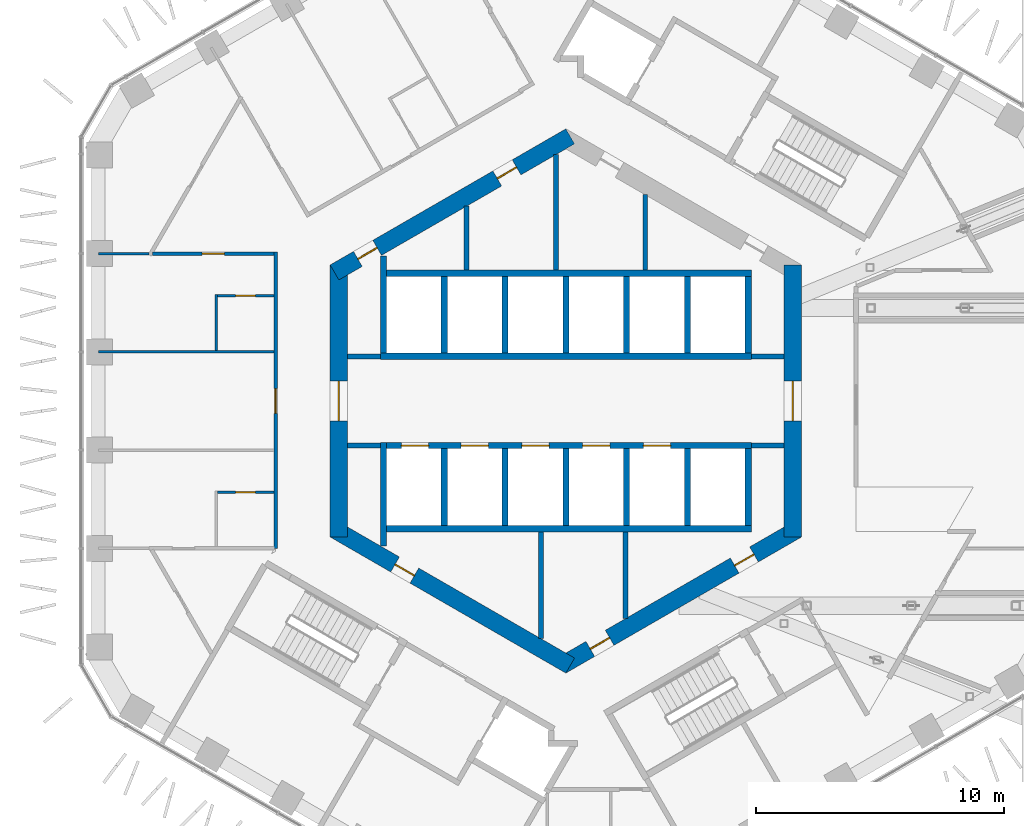
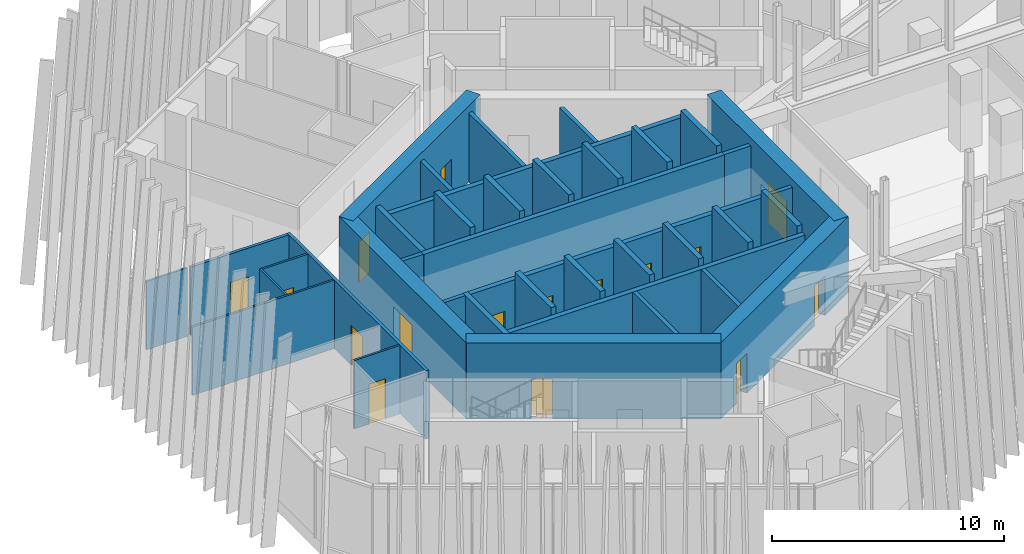
# One storey, part 20 of 28: 39 walls, 16 doors, 16 openings.
"""IFC4 building model written with IfcOpenShell, lengths in metres."""

from ifc_helpers import new_model, si_unit, direction, frame, frame_2d, origin, place, context, subcontext, project, spatial, rectangle, extrude, material, layer, layer_set, type_object, element, fill, save


model = new_model("IFC4")

# Units and contexts
model_context = context("Model", 3, precision=1e-05, world=origin(), true_north=direction((0.0, 1.0)))
body_context = subcontext(model_context, "Body", "Model", "MODEL_VIEW")
ifc_project = project(units=[si_unit("LENGTHUNIT", "METRE"), si_unit("AREAUNIT", "SQUARE_METRE"), si_unit("VOLUMEUNIT", "CUBIC_METRE"), si_unit("PLANEANGLEUNIT", "RADIAN"), si_unit("MASSUNIT", "GRAM", prefix="KILO")], contexts=[model_context])

# Site, building, storey
site_placement = place(None, origin())
site = spatial("IfcSite", under=ifc_project, at=site_placement, CompositionType="ELEMENT")
building_placement = place(site_placement, origin())
building = spatial("IfcBuilding", under=site, at=building_placement, Name="Ayvan Gate Tower", CompositionType="ELEMENT")
storey_placement = place(building_placement, frame((0.0, 0.0, 120.5)))
storey = spatial("IfcBuildingStorey", under=building, at=storey_placement, Name="L32", CompositionType="ELEMENT", Elevation=120.5)

# Wall, opening, door
ifc_material_1 = material(Name="Concrete C70/85", Category="concrete")
ifc_layer_1 = layer(ifc_material_1, 0.699951171875)
ifc_layer_set_1 = layer_set([ifc_layer_1], Name="Concrete C70/85")
wall_type_1 = type_object("IfcWallType", Name="Core wall 700 C70/85", PredefinedType="SHEAR", material=ifc_layer_set_1)
wall_1_placement = place(storey_placement, frame((9.14990234375, -5.48486328125, 0.0), z_axis=(0.0, 0.0, 1.0), x_axis=(0.0, 1.0, 0.0)))
wall_1 = element("IfcWall", 1, at=wall_1_placement, inside=storey, type_object=wall_type_1, Name="CORE-L32-0", PredefinedType="SHEAR", context=body_context, shape_type="SweptSolid", body=[
    extrude(rectangle(XDim=10.9697265625, YDim=0.699951171875, at=frame_2d((5.48486328125, 0.0))), origin(), (0.0, 0.0, 1.0), 4.0),
])
opening_1_placement = place(wall_1_placement, frame((4.684814453125, 0.0, 0.0)))
opening_1 = element("IfcOpeningElement", 2, at=opening_1_placement, cuts=wall_1, Name="Opening L32-D54", PredefinedType="OPENING", context=body_context, shape_type="SweptSolid", body=[
    extrude(rectangle(XDim=1.60009765625, YDim=2.10009765625, at=frame_2d((0.800048828125, 1.050048828125))), frame((0.0, 0.35986328125, 0.0), z_axis=(0.0, -1.0, 0.0), x_axis=(1.0, 0.0, 0.0)), (0.0, 0.0, 1.0), 0.719970703125),
])
ifc_material_2 = material(Name="Timber door leaf", Category="wood")
door_type_1 = type_object("IfcDoorType", Name="DT-1600", OperationType="NOTDEFINED", PredefinedType="DOOR", material=ifc_material_2)
door_1_placement = place(opening_1_placement, origin())
door_1 = element("IfcDoor", 3, at=door_1_placement, inside=storey, type_object=door_type_1, Name="CD-L32-54", OperationType="SINGLE_SWING_RIGHT", OverallHeight=2.10009765625, OverallWidth=1.60009765625, PredefinedType="DOOR", context=body_context, shape_type="SweptSolid", body=[
    extrude(rectangle(XDim=1.60009765625, YDim=2.10009765625, at=frame_2d((0.800048828125, 1.050048828125))), frame((0.0, 0.02490234375, 0.0), z_axis=(0.0, -1.0, 0.0), x_axis=(1.0, 0.0, 0.0)), (0.0, 0.0, 1.0), 0.050048828125),
])
fill(opening_1, door_1)

# Wall, openings, doors
wall_2_placement = place(storey_placement, frame((0.175048828125, 10.66650390625, 0.0), z_axis=(0.0, 0.0, 1.0), x_axis=(-0.866023993627, -0.500002442456, 0.0)))
wall_2 = element("IfcWall", 4, at=wall_2_placement, inside=storey, type_object=wall_type_1, Name="CORE-L32-2", PredefinedType="SHEAR", context=body_context, shape_type="SweptSolid", body=[
    extrude(rectangle(XDim=10.9697265625, YDim=0.699951171875, at=frame_2d((5.48486328125, 0.0))), origin(), (0.0, 0.0, 1.0), 4.0),
])
opening_2_placement = place(wall_2_placement, frame((8.984619140625, 0.0, 0.0)))
opening_2 = element("IfcOpeningElement", 5, at=opening_2_placement, cuts=wall_2, Name="Opening L32-D47", PredefinedType="OPENING", context=body_context, shape_type="SweptSolid", body=[
    extrude(rectangle(XDim=0.89990234375, YDim=2.10009765625, at=frame_2d((0.449951171875, 1.050048828125))), frame((0.0, 0.35986328125, 0.0), z_axis=(0.0, -1.0, 0.0), x_axis=(1.0, 0.0, 0.0)), (0.0, 0.0, 1.0), 0.719970703125),
])
opening_3_placement = place(wall_2_placement, frame((2.4951171875, 0.0, 0.0)))
opening_3 = element("IfcOpeningElement", 6, at=opening_3_placement, cuts=wall_2, Name="Opening L32-D48", PredefinedType="OPENING", context=body_context, shape_type="SweptSolid", body=[
    extrude(rectangle(XDim=0.89990234375, YDim=2.10009765625, at=frame_2d((0.449951171875, 1.050048828125))), frame((0.0, 0.35986328125, 0.0), z_axis=(0.0, -1.0, 0.0), x_axis=(1.0, 0.0, 0.0)), (0.0, 0.0, 1.0), 0.719970703125),
])
door_type_2 = type_object("IfcDoorType", Name="DT-900", OperationType="NOTDEFINED", PredefinedType="DOOR", material=ifc_material_2)
door_2_placement = place(opening_2_placement, origin())
door_2 = element("IfcDoor", 7, at=door_2_placement, inside=storey, type_object=door_type_2, Name="CD-L32-47", OperationType="SINGLE_SWING_LEFT", OverallHeight=2.10009765625, OverallWidth=0.89990234375, PredefinedType="DOOR", context=body_context, shape_type="SweptSolid", body=[
    extrude(rectangle(XDim=0.89990234375, YDim=2.10009765625, at=frame_2d((0.449951171875, 1.050048828125))), frame((0.0, 0.02490234375, 0.0), z_axis=(0.0, -1.0, 0.0), x_axis=(1.0, 0.0, 0.0)), (0.0, 0.0, 1.0), 0.050048828125),
])
fill(opening_2, door_2)
door_3_placement = place(opening_3_placement, origin())
door_3 = element("IfcDoor", 8, at=door_3_placement, inside=storey, type_object=door_type_2, Name="CD-L32-48", OperationType="SINGLE_SWING_RIGHT", OverallHeight=2.10009765625, OverallWidth=0.89990234375, PredefinedType="DOOR", context=body_context, shape_type="SweptSolid", body=[
    extrude(rectangle(XDim=0.89990234375, YDim=2.10009765625, at=frame_2d((0.449951171875, 1.050048828125))), frame((0.0, 0.02490234375, 0.0), z_axis=(0.0, -1.0, 0.0), x_axis=(1.0, 0.0, 0.0)), (0.0, 0.0, 1.0), 0.050048828125),
])
fill(opening_3, door_3)

# Wall, opening, door
wall_3_placement = place(storey_placement, frame((-9.14990234375, 5.48486328125, 0.0), z_axis=(0.0, 0.0, 1.0), x_axis=(0.0, -1.0, 0.0)))
wall_3 = element("IfcWall", 9, at=wall_3_placement, inside=storey, type_object=wall_type_1, Name="CORE-L32-3", PredefinedType="SHEAR", context=body_context, shape_type="SweptSolid", body=[
    extrude(rectangle(XDim=10.9697265625, YDim=0.699951171875, at=frame_2d((5.48486328125, 0.0))), origin(), (0.0, 0.0, 1.0), 4.0),
])
opening_4_placement = place(wall_3_placement, frame((4.684814453125, 0.0, 0.0)))
opening_4 = element("IfcOpeningElement", 10, at=opening_4_placement, cuts=wall_3, Name="Opening L32-D55", PredefinedType="OPENING", context=body_context, shape_type="SweptSolid", body=[
    extrude(rectangle(XDim=1.60009765625, YDim=2.10009765625, at=frame_2d((0.800048828125, 1.050048828125))), frame((0.0, 0.35986328125, 0.0), z_axis=(0.0, -1.0, 0.0), x_axis=(1.0, 0.0, 0.0)), (0.0, 0.0, 1.0), 0.719970703125),
])
door_4_placement = place(opening_4_placement, origin())
door_4 = element("IfcDoor", 11, at=door_4_placement, inside=storey, type_object=door_type_1, Name="CD-L32-55", OperationType="SINGLE_SWING_LEFT", OverallHeight=2.10009765625, OverallWidth=1.60009765625, PredefinedType="DOOR", context=body_context, shape_type="SweptSolid", body=[
    extrude(rectangle(XDim=1.60009765625, YDim=2.10009765625, at=frame_2d((0.800048828125, 1.050048828125))), frame((0.0, 0.02490234375, 0.0), z_axis=(0.0, -1.0, 0.0), x_axis=(1.0, 0.0, 0.0)), (0.0, 0.0, 1.0), 0.050048828125),
])
fill(opening_4, door_4)

wall_4_placement = place(storey_placement, frame((-9.324951171875, -5.181640625, 0.0), z_axis=(0.0, 0.0, 1.0), x_axis=(0.866023993627, -0.500002442456, 0.0)))
wall_4 = element("IfcWall", 12, at=wall_4_placement, inside=storey, type_object=wall_type_1, Name="CORE-L32-4", PredefinedType="SHEAR", context=body_context, shape_type="SweptSolid", body=[
    extrude(rectangle(XDim=10.9697265625, YDim=0.699951171875, at=frame_2d((5.48486328125, 0.0))), origin(), (0.0, 0.0, 1.0), 4.0),
])
opening_5_placement = place(wall_4_placement, frame((2.816650390625, 0.0, 0.0)))
opening_5 = element("IfcOpeningElement", 13, at=opening_5_placement, cuts=wall_4, Name="Opening L32-D51", PredefinedType="OPENING", context=body_context, shape_type="SweptSolid", body=[
    extrude(rectangle(XDim=0.89990234375, YDim=2.10009765625, at=frame_2d((0.449951171875, 1.050048828125))), frame((0.0, 0.35986328125, 0.0), z_axis=(0.0, -1.0, 0.0), x_axis=(1.0, 0.0, 0.0)), (0.0, 0.0, 1.0), 0.719970703125),
])
door_5_placement = place(opening_5_placement, origin())
door_5 = element("IfcDoor", 14, at=door_5_placement, inside=storey, type_object=door_type_2, Name="CD-L32-51", OperationType="SINGLE_SWING_LEFT", OverallHeight=2.10009765625, OverallWidth=0.89990234375, PredefinedType="DOOR", context=body_context, shape_type="SweptSolid", body=[
    extrude(rectangle(XDim=0.89990234375, YDim=2.10009765625, at=frame_2d((0.449951171875, 1.050048828125))), frame((0.0, 0.02490234375, 0.0), z_axis=(0.0, -1.0, 0.0), x_axis=(1.0, 0.0, 0.0)), (0.0, 0.0, 1.0), 0.050048828125),
])
fill(opening_5, door_5)

# Wall, openings, doors
wall_5_placement = place(storey_placement, frame((-0.175048828125, -10.66650390625, 0.0), z_axis=(0.0, 0.0, 1.0), x_axis=(0.866023993627, 0.500002442456, 0.0)))
wall_5 = element("IfcWall", 15, at=wall_5_placement, inside=storey, type_object=wall_type_1, Name="CORE-L32-5", PredefinedType="SHEAR", context=body_context, shape_type="SweptSolid", body=[
    extrude(rectangle(XDim=10.9697265625, YDim=0.699951171875, at=frame_2d((5.48486328125, 0.0))), origin(), (0.0, 0.0, 1.0), 4.0),
])
opening_6_placement = place(wall_5_placement, frame((1.34033203125, 0.0, 0.0)))
opening_6 = element("IfcOpeningElement", 16, at=opening_6_placement, cuts=wall_5, Name="Opening L32-D52", PredefinedType="OPENING", context=body_context, shape_type="SweptSolid", body=[
    extrude(rectangle(XDim=0.89990234375, YDim=2.10009765625, at=frame_2d((0.449951171875, 1.050048828125))), frame((0.0, 0.35986328125, 0.0), z_axis=(0.0, -1.0, 0.0), x_axis=(1.0, 0.0, 0.0)), (0.0, 0.0, 1.0), 0.719970703125),
])
opening_7_placement = place(wall_5_placement, frame((8.060791015625, 0.0, 0.0)))
opening_7 = element("IfcOpeningElement", 17, at=opening_7_placement, cuts=wall_5, Name="Opening L32-D53", PredefinedType="OPENING", context=body_context, shape_type="SweptSolid", body=[
    extrude(rectangle(XDim=0.89990234375, YDim=2.10009765625, at=frame_2d((0.449951171875, 1.050048828125))), frame((0.0, 0.35986328125, 0.0), z_axis=(0.0, -1.0, 0.0), x_axis=(1.0, 0.0, 0.0)), (0.0, 0.0, 1.0), 0.719970703125),
])
door_6_placement = place(opening_6_placement, origin())
door_6 = element("IfcDoor", 18, at=door_6_placement, inside=storey, type_object=door_type_2, Name="CD-L32-52", OperationType="SINGLE_SWING_RIGHT", OverallHeight=2.10009765625, OverallWidth=0.89990234375, PredefinedType="DOOR", context=body_context, shape_type="SweptSolid", body=[
    extrude(rectangle(XDim=0.89990234375, YDim=2.10009765625, at=frame_2d((0.449951171875, 1.050048828125))), frame((0.0, 0.02490234375, 0.0), z_axis=(0.0, -1.0, 0.0), x_axis=(1.0, 0.0, 0.0)), (0.0, 0.0, 1.0), 0.050048828125),
])
fill(opening_6, door_6)
door_7_placement = place(opening_7_placement, origin())
door_7 = element("IfcDoor", 19, at=door_7_placement, inside=storey, type_object=door_type_2, Name="CD-L32-53", OperationType="SINGLE_SWING_LEFT", OverallHeight=2.10009765625, OverallWidth=0.89990234375, PredefinedType="DOOR", context=body_context, shape_type="SweptSolid", body=[
    extrude(rectangle(XDim=0.89990234375, YDim=2.10009765625, at=frame_2d((0.449951171875, 1.050048828125))), frame((0.0, 0.02490234375, 0.0), z_axis=(0.0, -1.0, 0.0), x_axis=(1.0, 0.0, 0.0)), (0.0, 0.0, 1.0), 0.050048828125),
])
fill(opening_7, door_7)

# Wall, opening, door
ifc_material_3 = material(Name="Plasterboard on steel stud", Category="steel")
ifc_layer_2 = layer(ifc_material_3, 0.14990234375)
ifc_layer_set_2 = layer_set([ifc_layer_2], Name="Plasterboard on steel stud")
wall_type_2 = type_object("IfcWallType", Name="WT-CORR-150", PredefinedType="PARTITIONING", material=ifc_layer_set_2)
wall_6_placement = place(storey_placement, frame((-11.699951171875, 6.011962890625, 0.0), z_axis=(0.0, 0.0, 1.0), x_axis=(0.0, -1.0, 0.0)))
wall_6 = element("IfcWall", 20, at=wall_6_placement, inside=storey, type_object=wall_type_2, Name="IW-L32-015", PredefinedType="PARTITIONING", context=body_context, shape_type="SweptSolid", body=[
    extrude(rectangle(XDim=11.948974609375, YDim=0.14990234375, at=frame_2d((5.974609375, 0.0))), origin(), (0.0, 0.0, 1.0), 3.60009765625),
])
opening_8_placement = place(wall_6_placement, frame((5.511962890625, 0.0, 0.0)))
opening_8 = element("IfcOpeningElement", 21, at=opening_8_placement, cuts=wall_6, Name="Opening L32-D22", PredefinedType="OPENING", context=body_context, shape_type="SweptSolid", body=[
    extrude(rectangle(XDim=1.0, YDim=2.10009765625, at=frame_2d((0.5, 1.050048828125))), frame((0.0, 0.0849609375, 0.0), z_axis=(0.0, -1.0, 0.0), x_axis=(1.0, 0.0, 0.0)), (0.0, 0.0, 1.0), 0.169921875),
])
door_type_3 = type_object("IfcDoorType", Name="DT-1000", OperationType="NOTDEFINED", PredefinedType="DOOR", material=ifc_material_2)
door_8_placement = place(opening_8_placement, origin())
door_8 = element("IfcDoor", 22, at=door_8_placement, inside=storey, type_object=door_type_3, Name="ID-L32-022", OperationType="SINGLE_SWING_RIGHT", OverallHeight=2.10009765625, OverallWidth=1.0, PredefinedType="DOOR", context=body_context, shape_type="SweptSolid", body=[
    extrude(rectangle(XDim=1.0, YDim=2.10009765625, at=frame_2d((0.5, 1.050048828125))), frame((0.0, 0.02490234375, 0.0), z_axis=(0.0, -1.0, 0.0), x_axis=(1.0, 0.0, 0.0)), (0.0, 0.0, 1.0), 0.050048828125),
])
fill(opening_8, door_8)

wall_7_placement = place(storey_placement, frame((-11.77490234375, 5.93701171875, 0.0), z_axis=(0.0, 0.0, 1.0), x_axis=(-1.0, 0.0, 0.0)))
wall_7 = element("IfcWall", 23, at=wall_7_placement, inside=storey, type_object=wall_type_2, Name="IW-L32-017", PredefinedType="PARTITIONING", context=body_context, shape_type="SweptSolid", body=[
    extrude(rectangle(XDim=4.88232421875, YDim=0.14990234375, at=frame_2d((2.441162109375, 0.0))), origin(), (0.0, 0.0, 1.0), 3.60009765625),
])
opening_9_placement = place(wall_7_placement, frame((1.9912109375, 0.0, 0.0)))
opening_9 = element("IfcOpeningElement", 24, at=opening_9_placement, cuts=wall_7, Name="Opening L32-D20", PredefinedType="OPENING", context=body_context, shape_type="SweptSolid", body=[
    extrude(rectangle(XDim=0.89990234375, YDim=2.10009765625, at=frame_2d((0.449951171875, 1.050048828125))), frame((0.0, 0.0849609375, 0.0), z_axis=(0.0, -1.0, 0.0), x_axis=(1.0, 0.0, 0.0)), (0.0, 0.0, 1.0), 0.169921875),
])
door_9_placement = place(opening_9_placement, origin())
door_9 = element("IfcDoor", 25, at=door_9_placement, inside=storey, type_object=door_type_2, Name="ID-L32-020", OperationType="SINGLE_SWING_RIGHT", OverallHeight=2.10009765625, OverallWidth=0.89990234375, PredefinedType="DOOR", context=body_context, shape_type="SweptSolid", body=[
    extrude(rectangle(XDim=0.89990234375, YDim=2.10009765625, at=frame_2d((0.449951171875, 1.050048828125))), frame((0.0, 0.02490234375, 0.0), z_axis=(0.0, -1.0, 0.0), x_axis=(1.0, 0.0, 0.0)), (0.0, 0.0, 1.0), 0.050048828125),
])
fill(opening_9, door_9)

# Walls
ifc_layer_3 = layer(ifc_material_3, 0.10009765625)
ifc_layer_set_3 = layer_set([ifc_layer_3], Name="Plasterboard on steel stud")
wall_type_3 = type_object("IfcWallType", Name="WT-PART-100", PredefinedType="PARTITIONING", material=ifc_layer_set_3)
wall_8_placement = place(storey_placement, frame((-16.80712890625, 5.93701171875, 0.0), z_axis=(0.0, 0.0, 1.0), x_axis=(-1.0, 0.0, 0.0)))
element("IfcWall", 26, at=wall_8_placement, inside=storey, type_object=wall_type_3, Name="IW-L32-002", PredefinedType="PARTITIONING", context=body_context, shape_type="SweptSolid", body=[
    extrude(rectangle(XDim=2.025634765625, YDim=0.10009765625, at=frame_2d((1.0126953125, 0.0))), origin(), (0.0, 0.0, 1.0), 3.60009765625),
])
wall_9_placement = place(storey_placement, frame((-18.832763671875, 1.97900390625, 0.0), z_axis=(0.0, 0.0, 1.0), x_axis=(1.0, 0.0, 0.0)))
element("IfcWall", 27, at=wall_9_placement, inside=storey, type_object=wall_type_3, Name="IW-L32-008", PredefinedType="PARTITIONING", context=body_context, shape_type="SweptSolid", body=[
    extrude(rectangle(XDim=7.057861328125, YDim=0.10009765625, at=frame_2d((3.52880859375, 0.0))), origin(), (0.0, 0.0, 1.0), 3.60009765625),
])
wall_10_placement = place(storey_placement, frame((-14.10009765625, 4.286865234375, 0.0), z_axis=(0.0, 0.0, 1.0), x_axis=(0.0, -1.0, 0.0)))
element("IfcWall", 28, at=wall_10_placement, inside=storey, type_object=wall_type_3, Name="IW-L32-009", PredefinedType="PARTITIONING", context=body_context, shape_type="SweptSolid", body=[
    extrude(rectangle(XDim=2.2578125, YDim=0.10009765625, at=frame_2d((1.12890625, 0.0))), origin(), (0.0, 0.0, 1.0), 3.60009765625),
])

# Wall, opening, door
wall_11_placement = place(storey_placement, frame((-11.77490234375, -3.678955078125, 0.0), z_axis=(0.0, 0.0, 1.0), x_axis=(-1.0, 0.0, 0.0)))
wall_11 = element("IfcWall", 29, at=wall_11_placement, inside=storey, type_object=wall_type_3, Name="IW-L32-013", PredefinedType="PARTITIONING", context=body_context, shape_type="SweptSolid", body=[
    extrude(rectangle(XDim=2.275146484375, YDim=0.10009765625, at=frame_2d((1.1376953125, 0.0))), origin(), (0.0, 0.0, 1.0), 3.60009765625),
])
opening_10_placement = place(wall_11_placement, frame((0.737548828125, 0.0, 0.0)))
opening_10 = element("IfcOpeningElement", 30, at=opening_10_placement, cuts=wall_11, Name="Opening L32-D24", PredefinedType="OPENING", context=body_context, shape_type="SweptSolid", body=[
    extrude(rectangle(XDim=0.800048828125, YDim=2.10009765625, at=frame_2d((0.39990234375, 1.050048828125))), frame((0.0, 0.06005859375, 0.0), z_axis=(0.0, -1.0, 0.0), x_axis=(1.0, 0.0, 0.0)), (0.0, 0.0, 1.0), 0.1201171875),
])
door_type_4 = type_object("IfcDoorType", Name="DT-800", OperationType="NOTDEFINED", PredefinedType="DOOR", material=ifc_material_2)
door_10_placement = place(opening_10_placement, origin())
door_10 = element("IfcDoor", 31, at=door_10_placement, inside=storey, type_object=door_type_4, Name="ID-L32-024", OperationType="SINGLE_SWING_RIGHT", OverallHeight=2.10009765625, OverallWidth=0.800048828125, PredefinedType="DOOR", context=body_context, shape_type="SweptSolid", body=[
    extrude(rectangle(XDim=0.800048828125, YDim=2.10009765625, at=frame_2d((0.39990234375, 1.050048828125))), frame((0.0, 0.02490234375, 0.0), z_axis=(0.0, -1.0, 0.0), x_axis=(1.0, 0.0, 0.0)), (0.0, 0.0, 1.0), 0.050048828125),
])
fill(opening_10, door_10)

wall_12_placement = place(storey_placement, frame((-11.77490234375, 4.23681640625, 0.0), z_axis=(0.0, 0.0, 1.0), x_axis=(-1.0, 0.0, 0.0)))
wall_12 = element("IfcWall", 32, at=wall_12_placement, inside=storey, type_object=wall_type_3, Name="IW-L32-016", PredefinedType="PARTITIONING", context=body_context, shape_type="SweptSolid", body=[
    extrude(rectangle(XDim=2.275146484375, YDim=0.10009765625, at=frame_2d((1.1376953125, 0.0))), origin(), (0.0, 0.0, 1.0), 3.60009765625),
])
opening_11_placement = place(wall_12_placement, frame((0.737548828125, 0.0, 0.0)))
opening_11 = element("IfcOpeningElement", 33, at=opening_11_placement, cuts=wall_12, Name="Opening L32-D21", PredefinedType="OPENING", context=body_context, shape_type="SweptSolid", body=[
    extrude(rectangle(XDim=0.800048828125, YDim=2.10009765625, at=frame_2d((0.39990234375, 1.050048828125))), frame((0.0, 0.06005859375, 0.0), z_axis=(0.0, -1.0, 0.0), x_axis=(1.0, 0.0, 0.0)), (0.0, 0.0, 1.0), 0.1201171875),
])
door_11_placement = place(opening_11_placement, origin())
door_11 = element("IfcDoor", 34, at=door_11_placement, inside=storey, type_object=door_type_4, Name="ID-L32-021", OperationType="SINGLE_SWING_LEFT", OverallHeight=2.10009765625, OverallWidth=0.800048828125, PredefinedType="DOOR", context=body_context, shape_type="SweptSolid", body=[
    extrude(rectangle(XDim=0.800048828125, YDim=2.10009765625, at=frame_2d((0.39990234375, 1.050048828125))), frame((0.0, 0.02490234375, 0.0), z_axis=(0.0, -1.0, 0.0), x_axis=(1.0, 0.0, 0.0)), (0.0, 0.0, 1.0), 0.050048828125),
])
fill(opening_11, door_11)

# Walls
ifc_layer_4 = layer(ifc_material_3, 0.199951171875)
ifc_layer_set_4 = layer_set([ifc_layer_4], Name="Plasterboard on steel stud")
wall_type_4 = type_object("IfcWallType", Name="WT-RATED-200", PredefinedType="PARTITIONING", material=ifc_layer_set_4)
for number, where, z_axis, x_axis, name in (
    (35, (-8.800048828125, 1.800048828125, 0.0), (0.0, 0.0, 1.0), (1.0, 0.0, 0.0), "IW-L32-020"),
    (36, (-7.474853515625, -1.800048828125, 0.0), (0.0, 0.0, 1.0), (-1.0, 0.0, 0.0), "IW-L32-030"),
):
    element("IfcWall", number, at=place(storey_placement, frame(where, z_axis=z_axis, x_axis=x_axis)), inside=storey, type_object=wall_type_4, Name=name, PredefinedType="PARTITIONING", context=body_context, shape_type="SweptSolid", body=[
        extrude(rectangle(XDim=1.3251953125, YDim=0.199951171875, at=frame_2d((0.66259765625, 0.0))), origin(), (0.0, 0.0, 1.0), 3.60009765625),
    ])
wall_13_placement = place(storey_placement, frame((-4.0, 7.85205078125, 0.0), z_axis=(0.0, 0.0, 1.0), x_axis=(0.0, -1.0, 0.0)))
element("IfcWall", 37, at=wall_13_placement, inside=storey, type_object=wall_type_4, Name="IW-L32-040", PredefinedType="PARTITIONING", context=body_context, shape_type="SweptSolid", body=[
    extrude(rectangle(XDim=2.5771484375, YDim=0.199951171875, at=frame_2d((1.28857421875, 0.0))), origin(), (0.0, 0.0, 1.0), 3.60009765625),
])
wall_14_placement = place(storey_placement, frame((-1.0, -5.27490234375, 0.0), z_axis=(0.0, 0.0, 1.0), x_axis=(0.0, -1.0, 0.0)))
element("IfcWall", 38, at=wall_14_placement, inside=storey, type_object=wall_type_4, Name="IW-L32-055", PredefinedType="PARTITIONING", context=body_context, shape_type="SweptSolid", body=[
    extrude(rectangle(XDim=4.30908203125, YDim=0.199951171875, at=frame_2d((2.154541015625, 0.0))), origin(), (0.0, 0.0, 1.0), 3.60009765625),
])
wall_15_placement = place(storey_placement, frame((-0.39990234375, 9.930419921875, 0.0), z_axis=(0.0, 0.0, 1.0), x_axis=(0.0, -1.0, 0.0)))
element("IfcWall", 39, at=wall_15_placement, inside=storey, type_object=wall_type_4, Name="IW-L32-063", PredefinedType="PARTITIONING", context=body_context, shape_type="SweptSolid", body=[
    extrude(rectangle(XDim=4.655517578125, YDim=0.199951171875, at=frame_2d((2.32763671875, 0.0))), origin(), (0.0, 0.0, 1.0), 3.60009765625),
])
wall_16_placement = place(storey_placement, frame((2.39990234375, -5.27490234375, 0.0), z_axis=(0.0, 0.0, 1.0), x_axis=(0.0, -1.0, 0.0)))
element("IfcWall", 40, at=wall_16_placement, inside=storey, type_object=wall_type_4, Name="IW-L32-077", PredefinedType="PARTITIONING", context=body_context, shape_type="SweptSolid", body=[
    extrude(rectangle(XDim=3.500732421875, YDim=0.199951171875, at=frame_2d((1.75048828125, 0.0))), origin(), (0.0, 0.0, 1.0), 3.60009765625),
])
wall_17_placement = place(storey_placement, frame((3.199951171875, 8.313720703125, 0.0), z_axis=(0.0, 0.0, 1.0), x_axis=(0.0, -1.0, 0.0)))
element("IfcWall", 41, at=wall_17_placement, inside=storey, type_object=wall_type_4, Name="IW-L32-083", PredefinedType="PARTITIONING", context=body_context, shape_type="SweptSolid", body=[
    extrude(rectangle(XDim=3.038818359375, YDim=0.199951171875, at=frame_2d((1.51953125, 0.0))), origin(), (0.0, 0.0, 1.0), 3.60009765625),
])
for number, where, z_axis, x_axis, name in (
    (42, (7.474853515625, 1.800048828125, 0.0), (0.0, 0.0, 1.0), (1.0, 0.0, 0.0), "IW-L32-095"),
    (43, (8.800048828125, -1.800048828125, 0.0), (0.0, 0.0, 1.0), (-1.0, 0.0, 0.0), "IW-L32-101"),
):
    element("IfcWall", number, at=place(storey_placement, frame(where, z_axis=z_axis, x_axis=x_axis)), inside=storey, type_object=wall_type_4, Name=name, PredefinedType="PARTITIONING", context=body_context, shape_type="SweptSolid", body=[
        extrude(rectangle(XDim=1.3251953125, YDim=0.199951171875, at=frame_2d((0.66259765625, 0.0))), origin(), (0.0, 0.0, 1.0), 3.60009765625),
    ])
ifc_material_4 = material(Name="Concrete C50/60", Category="concrete")
ifc_layer_5 = layer(ifc_material_4, 0.25)
ifc_layer_set_5 = layer_set([ifc_layer_5], Name="Concrete C50/60")
wall_type_5 = type_object("IfcWallType", Name="WT-RC-250", PredefinedType="SHEAR", material=ifc_layer_set_5)
wall_18_placement = place(storey_placement, frame((-7.47509765625, 1.800048828125, 0.0), z_axis=(0.0, 0.0, 1.0), x_axis=(1.0, 0.0, 0.0)))
element("IfcWall", 44, at=wall_18_placement, inside=storey, type_object=wall_type_5, Name="IW-L32-026", PredefinedType="SHEAR", context=body_context, shape_type="SweptSolid", body=[
    extrude(rectangle(XDim=14.9501953125, YDim=0.25, at=frame_2d((7.47509765625, 0.0))), origin(), (0.0, 0.0, 1.0), 3.60009765625),
])
wall_19_placement = place(storey_placement, frame((-7.35009765625, -5.845703125, 0.0), z_axis=(0.0, 0.0, 1.0), x_axis=(0.0, 1.0, 0.0)))
element("IfcWall", 45, at=wall_19_placement, inside=storey, type_object=wall_type_5, Name="IW-L32-027", PredefinedType="SHEAR", context=body_context, shape_type="SweptSolid", body=[
    extrude(rectangle(XDim=4.170654296875, YDim=0.25, at=frame_2d((2.08544921875, 0.0))), origin(), (0.0, 0.0, 1.0), 3.60009765625),
])
wall_20_placement = place(storey_placement, frame((-7.35009765625, 1.925048828125, 0.0), z_axis=(0.0, 0.0, 1.0), x_axis=(0.0, 1.0, 0.0)))
element("IfcWall", 46, at=wall_20_placement, inside=storey, type_object=wall_type_5, Name="IW-L32-028", PredefinedType="SHEAR", context=body_context, shape_type="SweptSolid", body=[
    extrude(rectangle(XDim=3.920654296875, YDim=0.25, at=frame_2d((1.96044921875, 0.0))), origin(), (0.0, 0.0, 1.0), 3.60009765625),
])
for number, where, z_axis, x_axis, name in (
    (47, (-7.22509765625, 5.14990234375, 0.0), (0.0, 0.0, 1.0), (1.0, 0.0, 0.0), "IW-L32-029"),
    (48, (-7.22509765625, -5.14990234375, 0.0), (0.0, 0.0, 1.0), (1.0, 0.0, 0.0), "IW-L32-036"),
):
    element("IfcWall", number, at=place(storey_placement, frame(where, z_axis=z_axis, x_axis=x_axis)), inside=storey, type_object=wall_type_5, Name=name, PredefinedType="SHEAR", context=body_context, shape_type="SweptSolid", body=[
        extrude(rectangle(XDim=14.7001953125, YDim=0.25, at=frame_2d((7.35009765625, 0.0))), origin(), (0.0, 0.0, 1.0), 3.60009765625),
    ])
for number, where, z_axis, x_axis, name in (
    (49, (-4.89990234375, -1.925048828125, 0.0), (0.0, 0.0, 1.0), (0.0, -1.0, 0.0), "IW-L32-037"),
    (50, (-4.89990234375, 5.02490234375, 0.0), (0.0, 0.0, 1.0), (0.0, -1.0, 0.0), "IW-L32-038"),
):
    element("IfcWall", number, at=place(storey_placement, frame(where, z_axis=z_axis, x_axis=x_axis)), inside=storey, type_object=wall_type_5, Name=name, PredefinedType="SHEAR", context=body_context, shape_type="SweptSolid", body=[
        extrude(rectangle(XDim=3.099853515625, YDim=0.25, at=frame_2d((1.5498046875, 0.0))), origin(), (0.0, 0.0, 1.0), 4.0),
    ])

# Wall, openings, doors
wall_21_placement = place(storey_placement, frame((-7.22509765625, -1.800048828125, 0.0), z_axis=(0.0, 0.0, 1.0), x_axis=(1.0, 0.0, 0.0)))
wall_21 = element("IfcWall", 51, at=wall_21_placement, inside=storey, type_object=wall_type_5, Name="IW-L32-039", PredefinedType="SHEAR", context=body_context, shape_type="SweptSolid", body=[
    extrude(rectangle(XDim=14.7001953125, YDim=0.25, at=frame_2d((7.35009765625, 0.0))), origin(), (0.0, 0.0, 1.0), 3.60009765625),
])
opening_12_placement = place(wall_21_placement, frame((0.597412109375, 0.0, 0.0)))
opening_12 = element("IfcOpeningElement", 52, at=opening_12_placement, cuts=wall_21, Name="Opening L32-LD-LR1", PredefinedType="OPENING", context=body_context, shape_type="SweptSolid", body=[
    extrude(rectangle(XDim=1.10009765625, YDim=2.10009765625, at=frame_2d((0.550048828125, 1.050048828125))), frame((0.0, 0.135009765625, 0.0), z_axis=(0.0, -1.0, 0.0), x_axis=(1.0, 0.0, 0.0)), (0.0, 0.0, 1.0), 0.27001953125),
])
opening_13_placement = place(wall_21_placement, frame((3.0, 0.0, 0.0)))
opening_13 = element("IfcOpeningElement", 53, at=opening_13_placement, cuts=wall_21, Name="Opening L32-LD-LR2", PredefinedType="OPENING", context=body_context, shape_type="SweptSolid", body=[
    extrude(rectangle(XDim=1.10009765625, YDim=2.10009765625, at=frame_2d((0.550048828125, 1.050048828125))), frame((0.0, 0.135009765625, 0.0), z_axis=(0.0, -1.0, 0.0), x_axis=(1.0, 0.0, 0.0)), (0.0, 0.0, 1.0), 0.27001953125),
])
opening_14_placement = place(wall_21_placement, frame((5.4501953125, 0.0, 0.0)))
opening_14 = element("IfcOpeningElement", 54, at=opening_14_placement, cuts=wall_21, Name="Opening L32-LD-LR3", PredefinedType="OPENING", context=body_context, shape_type="SweptSolid", body=[
    extrude(rectangle(XDim=1.10009765625, YDim=2.10009765625, at=frame_2d((0.550048828125, 1.050048828125))), frame((0.0, 0.135009765625, 0.0), z_axis=(0.0, -1.0, 0.0), x_axis=(1.0, 0.0, 0.0)), (0.0, 0.0, 1.0), 0.27001953125),
])
opening_15_placement = place(wall_21_placement, frame((7.900146484375, 0.0, 0.0)))
opening_15 = element("IfcOpeningElement", 55, at=opening_15_placement, cuts=wall_21, Name="Opening L32-LD-LR4", PredefinedType="OPENING", context=body_context, shape_type="SweptSolid", body=[
    extrude(rectangle(XDim=1.10009765625, YDim=2.10009765625, at=frame_2d((0.550048828125, 1.050048828125))), frame((0.0, 0.135009765625, 0.0), z_axis=(0.0, -1.0, 0.0), x_axis=(1.0, 0.0, 0.0)), (0.0, 0.0, 1.0), 0.27001953125),
])
opening_16_placement = place(wall_21_placement, frame((10.35009765625, 0.0, 0.0)))
opening_16 = element("IfcOpeningElement", 56, at=opening_16_placement, cuts=wall_21, Name="Opening L32-LD-SV", PredefinedType="OPENING", context=body_context, shape_type="SweptSolid", body=[
    extrude(rectangle(XDim=1.10009765625, YDim=2.10009765625, at=frame_2d((0.550048828125, 1.050048828125))), frame((0.0, 0.135009765625, 0.0), z_axis=(0.0, -1.0, 0.0), x_axis=(1.0, 0.0, 0.0)), (0.0, 0.0, 1.0), 0.27001953125),
])
ifc_material_5 = material(Name="Stainless steel landing door", Category="steel")
door_type_5 = type_object("IfcDoorType", Name="DT-LANDING-1100", OperationType="SLIDING_TO_LEFT", PredefinedType="DOOR", material=ifc_material_5)
door_12_placement = place(opening_12_placement, origin())
door_12 = element("IfcDoor", 57, at=door_12_placement, inside=storey, type_object=door_type_5, Name="ID-L32-001", OperationType="SLIDING_TO_LEFT", OverallHeight=2.10009765625, OverallWidth=1.10009765625, PredefinedType="DOOR", context=body_context, shape_type="SweptSolid", body=[
    extrude(rectangle(XDim=1.10009765625, YDim=2.10009765625, at=frame_2d((0.550048828125, 1.050048828125))), frame((0.0, 0.02490234375, 0.0), z_axis=(0.0, -1.0, 0.0), x_axis=(1.0, 0.0, 0.0)), (0.0, 0.0, 1.0), 0.050048828125),
])
fill(opening_12, door_12)
door_13_placement = place(opening_13_placement, origin())
door_13 = element("IfcDoor", 58, at=door_13_placement, inside=storey, type_object=door_type_5, Name="ID-L32-002", OperationType="SLIDING_TO_LEFT", OverallHeight=2.10009765625, OverallWidth=1.10009765625, PredefinedType="DOOR", context=body_context, shape_type="SweptSolid", body=[
    extrude(rectangle(XDim=1.10009765625, YDim=2.10009765625, at=frame_2d((0.550048828125, 1.050048828125))), frame((0.0, 0.02490234375, 0.0), z_axis=(0.0, -1.0, 0.0), x_axis=(1.0, 0.0, 0.0)), (0.0, 0.0, 1.0), 0.050048828125),
])
fill(opening_13, door_13)
door_14_placement = place(opening_14_placement, origin())
door_14 = element("IfcDoor", 59, at=door_14_placement, inside=storey, type_object=door_type_5, Name="ID-L32-003", OperationType="SLIDING_TO_LEFT", OverallHeight=2.10009765625, OverallWidth=1.10009765625, PredefinedType="DOOR", context=body_context, shape_type="SweptSolid", body=[
    extrude(rectangle(XDim=1.10009765625, YDim=2.10009765625, at=frame_2d((0.550048828125, 1.050048828125))), frame((0.0, 0.02490234375, 0.0), z_axis=(0.0, -1.0, 0.0), x_axis=(1.0, 0.0, 0.0)), (0.0, 0.0, 1.0), 0.050048828125),
])
fill(opening_14, door_14)
door_15_placement = place(opening_15_placement, origin())
door_15 = element("IfcDoor", 60, at=door_15_placement, inside=storey, type_object=door_type_5, Name="ID-L32-004", OperationType="SLIDING_TO_LEFT", OverallHeight=2.10009765625, OverallWidth=1.10009765625, PredefinedType="DOOR", context=body_context, shape_type="SweptSolid", body=[
    extrude(rectangle(XDim=1.10009765625, YDim=2.10009765625, at=frame_2d((0.550048828125, 1.050048828125))), frame((0.0, 0.02490234375, 0.0), z_axis=(0.0, -1.0, 0.0), x_axis=(1.0, 0.0, 0.0)), (0.0, 0.0, 1.0), 0.050048828125),
])
fill(opening_15, door_15)
door_16_placement = place(opening_16_placement, origin())
door_16 = element("IfcDoor", 61, at=door_16_placement, inside=storey, type_object=door_type_5, Name="ID-L32-005", OperationType="SLIDING_TO_LEFT", OverallHeight=2.10009765625, OverallWidth=1.10009765625, PredefinedType="DOOR", context=body_context, shape_type="SweptSolid", body=[
    extrude(rectangle(XDim=1.10009765625, YDim=2.10009765625, at=frame_2d((0.550048828125, 1.050048828125))), frame((0.0, 0.02490234375, 0.0), z_axis=(0.0, -1.0, 0.0), x_axis=(1.0, 0.0, 0.0)), (0.0, 0.0, 1.0), 0.050048828125),
])
fill(opening_16, door_16)

# Walls
for number, where, z_axis, x_axis, name in (
    (62, (-2.449951171875, -1.925048828125, 0.0), (0.0, 0.0, 1.0), (0.0, -1.0, 0.0), "IW-L32-049"),
    (63, (-2.449951171875, 5.02490234375, 0.0), (0.0, 0.0, 1.0), (0.0, -1.0, 0.0), "IW-L32-050"),
    (64, (0.0, -1.925048828125, 0.0), (0.0, 0.0, 1.0), (0.0, -1.0, 0.0), "IW-L32-065"),
    (65, (0.0, 5.02490234375, 0.0), (0.0, 0.0, 1.0), (0.0, -1.0, 0.0), "IW-L32-066"),
    (66, (2.449951171875, -1.925048828125, 0.0), (0.0, 0.0, 1.0), (0.0, -1.0, 0.0), "IW-L32-078"),
    (67, (2.449951171875, 5.02490234375, 0.0), (0.0, 0.0, 1.0), (0.0, -1.0, 0.0), "IW-L32-079"),
    (68, (4.89990234375, -1.925048828125, 0.0), (0.0, 0.0, 1.0), (0.0, -1.0, 0.0), "IW-L32-087"),
    (69, (4.89990234375, 5.02490234375, 0.0), (0.0, 0.0, 1.0), (0.0, -1.0, 0.0), "IW-L32-088"),
    (70, (7.35009765625, -1.925048828125, 0.0), (0.0, 0.0, 1.0), (0.0, -1.0, 0.0), "IW-L32-096"),
    (71, (7.35009765625, 5.02490234375, 0.0), (0.0, 0.0, 1.0), (0.0, -1.0, 0.0), "IW-L32-097"),
):
    element("IfcWall", number, at=place(storey_placement, frame(where, z_axis=z_axis, x_axis=x_axis)), inside=storey, type_object=wall_type_5, Name=name, PredefinedType="SHEAR", context=body_context, shape_type="SweptSolid", body=[
        extrude(rectangle(XDim=3.099853515625, YDim=0.25, at=frame_2d((1.5498046875, 0.0))), origin(), (0.0, 0.0, 1.0), 4.0),
    ])

save(model, "model.ifc")
